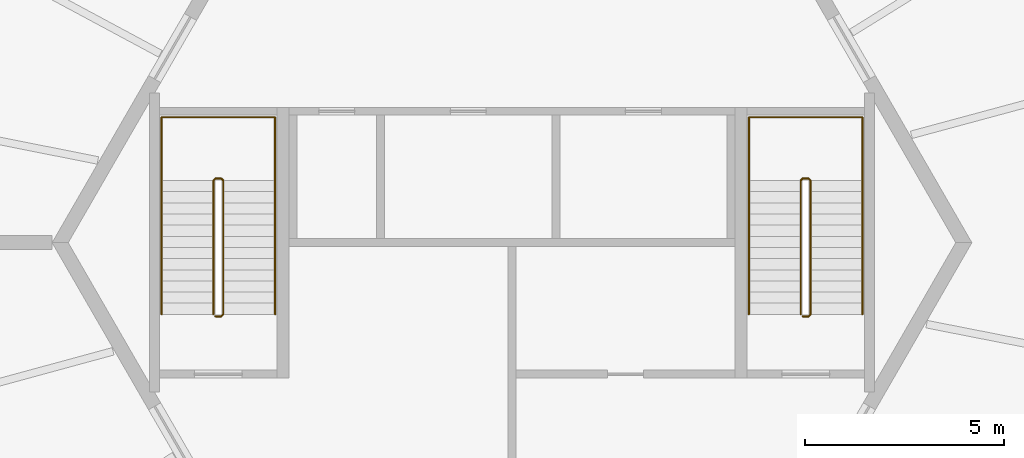
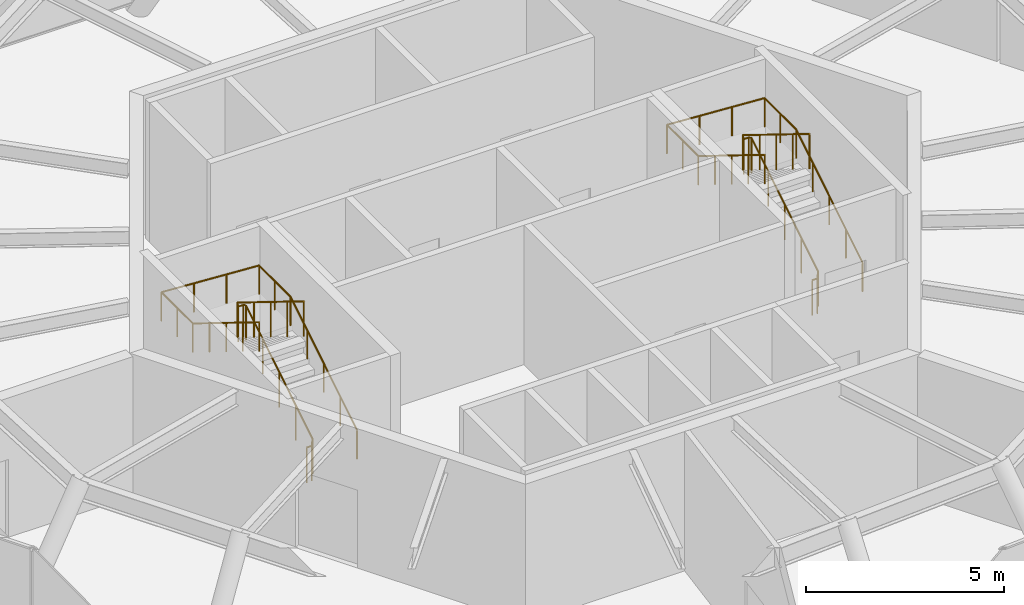
# One storey, part 12 of 12: 4 railings.
"""IFC4 building model written with IfcOpenShell, lengths in metres."""

from ifc_helpers import new_model, si_unit, direction, frame, origin, origin_2d, place, context, subcontext, project, spatial, circle, extrude, material, type_object, element, save


model = new_model("IFC4")

# Units and contexts
model_context = context("Model", 3, precision=1e-05, world=origin(), true_north=direction((0.0, 1.0)))
body_context = subcontext(model_context, "Body", "Model", "MODEL_VIEW")
ifc_project = project(units=[si_unit("LENGTHUNIT", "METRE"), si_unit("AREAUNIT", "SQUARE_METRE"), si_unit("VOLUMEUNIT", "CUBIC_METRE"), si_unit("PLANEANGLEUNIT", "RADIAN"), si_unit("MASSUNIT", "GRAM", prefix="KILO")], contexts=[model_context])

# Site, building, storey
site_placement = place(None, origin())
site = spatial("IfcSite", under=ifc_project, at=site_placement, CompositionType="ELEMENT")
building_placement = place(site_placement, origin())
building = spatial("IfcBuilding", under=site, at=building_placement, Name="Tarnside Tower", CompositionType="ELEMENT")
storey_placement = place(building_placement, frame((0.0, 0.0, 392.699951171875)))
storey = spatial("IfcBuildingStorey", under=building, at=storey_placement, Name="L93", CompositionType="ELEMENT", Elevation=392.699951171875)

# Railings
ifc_material = material(Name="Stainless steel", Category="steel")
railing_type_1 = type_object("IfcRailingType", Name="Stair guard 1100", PredefinedType="GUARDRAIL", material=ifc_material)
railing_1_placement = place(storey_placement, frame((7.300048828125, -1.85009765625, 0.0)))
element("IfcRailing", 1, at=railing_1_placement, inside=storey, type_object=railing_type_1, Name="L93 ST1 stair guard 1", PredefinedType="GUARDRAIL", context=body_context, shape_type="SweptSolid", body=[
    extrude(circle(Radius=0.02392578125, at=origin_2d()), frame((0.0, 0.0, 1.076171875), z_axis=(1.0, 0.0, 0.0), x_axis=(0.0, 1.0, 0.0)), (0.0, 0.0, 1.0), 0.14990234375),
    extrude(circle(Radius=0.02392578125, at=origin_2d()), frame((0.14990234375, 0.0, 1.076171875), z_axis=(0.267629722418, 0.267629722418, 0.925607186314), x_axis=(-0.707106781187, 0.707106781187, 0.0)), (0.0, 0.0, 1.0), 0.18701171875),
    extrude(circle(Radius=0.02392578125, at=origin_2d()), frame((0.199951171875, 0.050048828125, 1.2490234375), z_axis=(0.0, 0.850623216509, 0.525775754039), x_axis=(-1.0, 0.0, 0.0)), (0.0, 0.0, 1.0), 3.9501953125),
    extrude(circle(Radius=0.02392578125, at=origin_2d()), frame((0.199951171875, 3.41015625, 3.326171875), z_axis=(-0.707106781187, 0.707106781187, 0.0), x_axis=(-0.707106781187, -0.707106781187, 0.0)), (0.0, 0.0, 1.0), 0.07080078125),
    extrude(circle(Radius=0.02392578125, at=origin_2d()), frame((0.14990234375, 3.460205078125, 3.326171875), z_axis=(-1.0, 0.0, 0.0), x_axis=(0.0, -1.0, 0.0)), (0.0, 0.0, 1.0), 0.14990234375),
    extrude(circle(Radius=0.02392578125, at=origin_2d()), frame((0.0, 3.460205078125, 3.326171875), z_axis=(-0.267629722418, -0.267629722418, 0.925607186314), x_axis=(0.707106781187, -0.707106781187, 0.0)), (0.0, 0.0, 1.0), 0.18701171875),
    extrude(circle(Radius=0.02392578125, at=origin_2d()), frame((-0.050048828125, 3.41015625, 3.4990234375), z_axis=(0.0, -0.850623216509, 0.525775754039), x_axis=(1.0, 0.0, 0.0)), (0.0, 0.0, 1.0), 3.9501953125),
    extrude(circle(Radius=0.02099609375, at=origin_2d()), origin(), (0.0, 0.0, 1.0), 1.052001953125),
    extrude(circle(Radius=0.02099609375, at=origin_2d()), frame((0.14990234375, 0.0, 0.0)), (0.0, 0.0, 1.0), 1.052001953125),
    extrude(circle(Radius=0.02099609375, at=origin_2d()), frame((0.199951171875, 0.050048828125, 0.173095703125)), (0.0, 0.0, 1.0), 1.052001953125),
    extrude(circle(Radius=0.02099609375, at=origin_2d()), frame((0.199951171875, 0.89013671875, 0.6923828125)), (0.0, 0.0, 1.0), 1.052001953125),
    extrude(circle(Radius=0.02099609375, at=origin_2d()), frame((0.199951171875, 1.72998046875, 1.21142578125)), (0.0, 0.0, 1.0), 1.052001953125),
    extrude(circle(Radius=0.02099609375, at=origin_2d()), frame((0.199951171875, 2.570068359375, 1.730712890625)), (0.0, 0.0, 1.0), 1.052001953125),
    extrude(circle(Radius=0.02099609375, at=origin_2d()), frame((0.199951171875, 3.41015625, 2.25)), (0.0, 0.0, 1.0), 1.052001953125),
    extrude(circle(Radius=0.02099609375, at=origin_2d()), frame((0.14990234375, 3.460205078125, 2.25)), (0.0, 0.0, 1.0), 1.052001953125),
    extrude(circle(Radius=0.02099609375, at=origin_2d()), frame((0.0, 3.460205078125, 2.25)), (0.0, 0.0, 1.0), 1.052001953125),
    extrude(circle(Radius=0.02099609375, at=origin_2d()), frame((-0.050048828125, 3.41015625, 2.423095703125)), (0.0, 0.0, 1.0), 1.052001953125),
    extrude(circle(Radius=0.02099609375, at=origin_2d()), frame((-0.050048828125, 2.570068359375, 2.9423828125)), (0.0, 0.0, 1.0), 1.052001953125),
    extrude(circle(Radius=0.02099609375, at=origin_2d()), frame((-0.050048828125, 1.72998046875, 3.46142578125)), (0.0, 0.0, 1.0), 1.052001953125),
    extrude(circle(Radius=0.02099609375, at=origin_2d()), frame((-0.050048828125, 0.89013671875, 3.980712890625)), (0.0, 0.0, 1.0), 1.052001953125),
    extrude(circle(Radius=0.02099609375, at=origin_2d()), frame((-0.050048828125, 0.050048828125, 4.5)), (0.0, 0.0, 1.0), 1.052001953125),
])
railing_2_placement = place(storey_placement, frame((-7.449951171875, -1.85009765625, 0.0)))
element("IfcRailing", 2, at=railing_2_placement, inside=storey, type_object=railing_type_1, Name="L93 ST2 stair guard 1", PredefinedType="GUARDRAIL", context=body_context, shape_type="SweptSolid", body=[
    extrude(circle(Radius=0.02392578125, at=origin_2d()), frame((0.0, 0.0, 1.076171875), z_axis=(1.0, 0.0, 0.0), x_axis=(0.0, 1.0, 0.0)), (0.0, 0.0, 1.0), 0.14990234375),
    extrude(circle(Radius=0.02392578125, at=origin_2d()), frame((0.14990234375, 0.0, 1.076171875), z_axis=(0.267629722418, 0.267629722418, 0.925607186314), x_axis=(-0.707106781187, 0.707106781187, 0.0)), (0.0, 0.0, 1.0), 0.18701171875),
    extrude(circle(Radius=0.02392578125, at=origin_2d()), frame((0.199951171875, 0.050048828125, 1.2490234375), z_axis=(0.0, 0.850623216509, 0.525775754039), x_axis=(-1.0, 0.0, 0.0)), (0.0, 0.0, 1.0), 3.9501953125),
    extrude(circle(Radius=0.02392578125, at=origin_2d()), frame((0.199951171875, 3.41015625, 3.326171875), z_axis=(-0.707106781187, 0.707106781187, 0.0), x_axis=(-0.707106781187, -0.707106781187, 0.0)), (0.0, 0.0, 1.0), 0.07080078125),
    extrude(circle(Radius=0.02392578125, at=origin_2d()), frame((0.14990234375, 3.460205078125, 3.326171875), z_axis=(-1.0, 0.0, 0.0), x_axis=(0.0, -1.0, 0.0)), (0.0, 0.0, 1.0), 0.14990234375),
    extrude(circle(Radius=0.02392578125, at=origin_2d()), frame((0.0, 3.460205078125, 3.326171875), z_axis=(-0.267629722418, -0.267629722418, 0.925607186314), x_axis=(0.707106781187, -0.707106781187, 0.0)), (0.0, 0.0, 1.0), 0.18701171875),
    extrude(circle(Radius=0.02392578125, at=origin_2d()), frame((-0.050048828125, 3.41015625, 3.4990234375), z_axis=(0.0, -0.850623216509, 0.525775754039), x_axis=(1.0, 0.0, 0.0)), (0.0, 0.0, 1.0), 3.9501953125),
    extrude(circle(Radius=0.02099609375, at=origin_2d()), origin(), (0.0, 0.0, 1.0), 1.052001953125),
    extrude(circle(Radius=0.02099609375, at=origin_2d()), frame((0.14990234375, 0.0, 0.0)), (0.0, 0.0, 1.0), 1.052001953125),
    extrude(circle(Radius=0.02099609375, at=origin_2d()), frame((0.199951171875, 0.050048828125, 0.173095703125)), (0.0, 0.0, 1.0), 1.052001953125),
    extrude(circle(Radius=0.02099609375, at=origin_2d()), frame((0.199951171875, 0.89013671875, 0.6923828125)), (0.0, 0.0, 1.0), 1.052001953125),
    extrude(circle(Radius=0.02099609375, at=origin_2d()), frame((0.199951171875, 1.72998046875, 1.21142578125)), (0.0, 0.0, 1.0), 1.052001953125),
    extrude(circle(Radius=0.02099609375, at=origin_2d()), frame((0.199951171875, 2.570068359375, 1.730712890625)), (0.0, 0.0, 1.0), 1.052001953125),
    extrude(circle(Radius=0.02099609375, at=origin_2d()), frame((0.199951171875, 3.41015625, 2.25)), (0.0, 0.0, 1.0), 1.052001953125),
    extrude(circle(Radius=0.02099609375, at=origin_2d()), frame((0.14990234375, 3.460205078125, 2.25)), (0.0, 0.0, 1.0), 1.052001953125),
    extrude(circle(Radius=0.02099609375, at=origin_2d()), frame((0.0, 3.460205078125, 2.25)), (0.0, 0.0, 1.0), 1.052001953125),
    extrude(circle(Radius=0.02099609375, at=origin_2d()), frame((-0.050048828125, 3.41015625, 2.423095703125)), (0.0, 0.0, 1.0), 1.052001953125),
    extrude(circle(Radius=0.02099609375, at=origin_2d()), frame((-0.050048828125, 2.570068359375, 2.9423828125)), (0.0, 0.0, 1.0), 1.052001953125),
    extrude(circle(Radius=0.02099609375, at=origin_2d()), frame((-0.050048828125, 1.72998046875, 3.46142578125)), (0.0, 0.0, 1.0), 1.052001953125),
    extrude(circle(Radius=0.02099609375, at=origin_2d()), frame((-0.050048828125, 0.89013671875, 3.980712890625)), (0.0, 0.0, 1.0), 1.052001953125),
    extrude(circle(Radius=0.02099609375, at=origin_2d()), frame((-0.050048828125, 0.050048828125, 4.5)), (0.0, 0.0, 1.0), 1.052001953125),
])
railing_type_2 = type_object("IfcRailingType", Name="Stair handrail 900", PredefinedType="HANDRAIL", material=ifc_material)
railing_3_placement = place(storey_placement, frame((8.800048828125, -1.800048828125, 0.173095703125)))
element("IfcRailing", 3, at=railing_3_placement, inside=storey, type_object=railing_type_2, Name="L93 ST1 stair handrail 1", PredefinedType="HANDRAIL", context=body_context, shape_type="SweptSolid", body=[
    extrude(circle(Radius=0.02392578125, at=origin_2d()), frame((0.0, 0.0, 0.8857421875), z_axis=(0.0, 0.850623216509, 0.525775754039), x_axis=(-1.0, 0.0, 0.0)), (0.0, 0.0, 1.0), 3.9501953125),
    extrude(circle(Radius=0.02392578125, at=origin_2d()), frame((0.0, 3.360107421875, 2.962890625), z_axis=(0.0, 1.0, 0.0), x_axis=(-1.0, 0.0, 0.0)), (0.0, 0.0, 1.0), 1.58984375),
    extrude(circle(Radius=0.02392578125, at=origin_2d()), frame((0.0, 4.949951171875, 2.962890625), z_axis=(-0.9981608223, 0.0, 0.060621554138), x_axis=(0.0, -1.0, 0.0)), (0.0, 0.0, 1.0), 2.85546875),
    extrude(circle(Radius=0.02392578125, at=origin_2d()), frame((-2.85009765625, 4.949951171875, 3.1357421875), z_axis=(0.0, -1.0, 0.0), x_axis=(1.0, 0.0, 0.0)), (0.0, 0.0, 1.0), 1.58984375),
    extrude(circle(Radius=0.02392578125, at=origin_2d()), frame((-2.85009765625, 3.360107421875, 3.1357421875), z_axis=(0.0, -0.850623216509, 0.525775754039), x_axis=(1.0, 0.0, 0.0)), (0.0, 0.0, 1.0), 3.9501953125),
    extrude(circle(Radius=0.02099609375, at=origin_2d()), origin(), (0.0, 0.0, 1.0), 0.86181640625),
    extrude(circle(Radius=0.02099609375, at=origin_2d()), frame((0.0, 0.840087890625, 0.519287109375)), (0.0, 0.0, 1.0), 0.86181640625),
    extrude(circle(Radius=0.02099609375, at=origin_2d()), frame((0.0, 1.68017578125, 1.03857421875)), (0.0, 0.0, 1.0), 0.86181640625),
    extrude(circle(Radius=0.02099609375, at=origin_2d()), frame((0.0, 2.52001953125, 1.5576171875)), (0.0, 0.0, 1.0), 0.86181640625),
    extrude(circle(Radius=0.02099609375, at=origin_2d()), frame((0.0, 3.360107421875, 2.076904296875)), (0.0, 0.0, 1.0), 0.86181640625),
    extrude(circle(Radius=0.02099609375, at=origin_2d()), frame((0.0, 4.155029296875, 2.076904296875)), (0.0, 0.0, 1.0), 0.86181640625),
    extrude(circle(Radius=0.02099609375, at=origin_2d()), frame((0.0, 4.949951171875, 2.076904296875)), (0.0, 0.0, 1.0), 0.86181640625),
    extrude(circle(Radius=0.02099609375, at=origin_2d()), frame((-0.949951171875, 4.949951171875, 2.134521484375)), (0.0, 0.0, 1.0), 0.86181640625),
    extrude(circle(Radius=0.02099609375, at=origin_2d()), frame((-1.900146484375, 4.949951171875, 2.1923828125)), (0.0, 0.0, 1.0), 0.86181640625),
    extrude(circle(Radius=0.02099609375, at=origin_2d()), frame((-2.85009765625, 4.949951171875, 2.25)), (0.0, 0.0, 1.0), 0.86181640625),
    extrude(circle(Radius=0.02099609375, at=origin_2d()), frame((-2.85009765625, 4.155029296875, 2.25)), (0.0, 0.0, 1.0), 0.86181640625),
    extrude(circle(Radius=0.02099609375, at=origin_2d()), frame((-2.85009765625, 3.360107421875, 2.25)), (0.0, 0.0, 1.0), 0.86181640625),
    extrude(circle(Radius=0.02099609375, at=origin_2d()), frame((-2.85009765625, 2.52001953125, 2.769287109375)), (0.0, 0.0, 1.0), 0.86181640625),
    extrude(circle(Radius=0.02099609375, at=origin_2d()), frame((-2.85009765625, 1.68017578125, 3.28857421875)), (0.0, 0.0, 1.0), 0.86181640625),
    extrude(circle(Radius=0.02099609375, at=origin_2d()), frame((-2.85009765625, 0.840087890625, 3.8076171875)), (0.0, 0.0, 1.0), 0.86181640625),
    extrude(circle(Radius=0.02099609375, at=origin_2d()), frame((-2.85009765625, 0.0, 4.326904296875)), (0.0, 0.0, 1.0), 0.86181640625),
])
railing_4_placement = place(storey_placement, frame((-5.949951171875, -1.800048828125, 0.173095703125)))
element("IfcRailing", 4, at=railing_4_placement, inside=storey, type_object=railing_type_2, Name="L93 ST2 stair handrail 1", PredefinedType="HANDRAIL", context=body_context, shape_type="SweptSolid", body=[
    extrude(circle(Radius=0.02392578125, at=origin_2d()), frame((0.0, 0.0, 0.8857421875), z_axis=(0.0, 0.850623216509, 0.525775754039), x_axis=(-1.0, 0.0, 0.0)), (0.0, 0.0, 1.0), 3.9501953125),
    extrude(circle(Radius=0.02392578125, at=origin_2d()), frame((0.0, 3.360107421875, 2.962890625), z_axis=(0.0, 1.0, 0.0), x_axis=(-1.0, 0.0, 0.0)), (0.0, 0.0, 1.0), 1.58984375),
    extrude(circle(Radius=0.02392578125, at=origin_2d()), frame((0.0, 4.949951171875, 2.962890625), z_axis=(-0.9981608223, 0.0, 0.060621554138), x_axis=(0.0, -1.0, 0.0)), (0.0, 0.0, 1.0), 2.85546875),
    extrude(circle(Radius=0.02392578125, at=origin_2d()), frame((-2.85009765625, 4.949951171875, 3.1357421875), z_axis=(0.0, -1.0, 0.0), x_axis=(1.0, 0.0, 0.0)), (0.0, 0.0, 1.0), 1.58984375),
    extrude(circle(Radius=0.02392578125, at=origin_2d()), frame((-2.85009765625, 3.360107421875, 3.1357421875), z_axis=(0.0, -0.850623216509, 0.525775754039), x_axis=(1.0, 0.0, 0.0)), (0.0, 0.0, 1.0), 3.9501953125),
    extrude(circle(Radius=0.02099609375, at=origin_2d()), origin(), (0.0, 0.0, 1.0), 0.86181640625),
    extrude(circle(Radius=0.02099609375, at=origin_2d()), frame((0.0, 0.840087890625, 0.519287109375)), (0.0, 0.0, 1.0), 0.86181640625),
    extrude(circle(Radius=0.02099609375, at=origin_2d()), frame((0.0, 1.68017578125, 1.03857421875)), (0.0, 0.0, 1.0), 0.86181640625),
    extrude(circle(Radius=0.02099609375, at=origin_2d()), frame((0.0, 2.52001953125, 1.5576171875)), (0.0, 0.0, 1.0), 0.86181640625),
    extrude(circle(Radius=0.02099609375, at=origin_2d()), frame((0.0, 3.360107421875, 2.076904296875)), (0.0, 0.0, 1.0), 0.86181640625),
    extrude(circle(Radius=0.02099609375, at=origin_2d()), frame((0.0, 4.155029296875, 2.076904296875)), (0.0, 0.0, 1.0), 0.86181640625),
    extrude(circle(Radius=0.02099609375, at=origin_2d()), frame((0.0, 4.949951171875, 2.076904296875)), (0.0, 0.0, 1.0), 0.86181640625),
    extrude(circle(Radius=0.02099609375, at=origin_2d()), frame((-0.949951171875, 4.949951171875, 2.134521484375)), (0.0, 0.0, 1.0), 0.86181640625),
    extrude(circle(Radius=0.02099609375, at=origin_2d()), frame((-1.900146484375, 4.949951171875, 2.1923828125)), (0.0, 0.0, 1.0), 0.86181640625),
    extrude(circle(Radius=0.02099609375, at=origin_2d()), frame((-2.85009765625, 4.949951171875, 2.25)), (0.0, 0.0, 1.0), 0.86181640625),
    extrude(circle(Radius=0.02099609375, at=origin_2d()), frame((-2.85009765625, 4.155029296875, 2.25)), (0.0, 0.0, 1.0), 0.86181640625),
    extrude(circle(Radius=0.02099609375, at=origin_2d()), frame((-2.85009765625, 3.360107421875, 2.25)), (0.0, 0.0, 1.0), 0.86181640625),
    extrude(circle(Radius=0.02099609375, at=origin_2d()), frame((-2.85009765625, 2.52001953125, 2.769287109375)), (0.0, 0.0, 1.0), 0.86181640625),
    extrude(circle(Radius=0.02099609375, at=origin_2d()), frame((-2.85009765625, 1.68017578125, 3.28857421875)), (0.0, 0.0, 1.0), 0.86181640625),
    extrude(circle(Radius=0.02099609375, at=origin_2d()), frame((-2.85009765625, 0.840087890625, 3.8076171875)), (0.0, 0.0, 1.0), 0.86181640625),
    extrude(circle(Radius=0.02099609375, at=origin_2d()), frame((-2.85009765625, 0.0, 4.326904296875)), (0.0, 0.0, 1.0), 0.86181640625),
])

save(model, "model.ifc")
